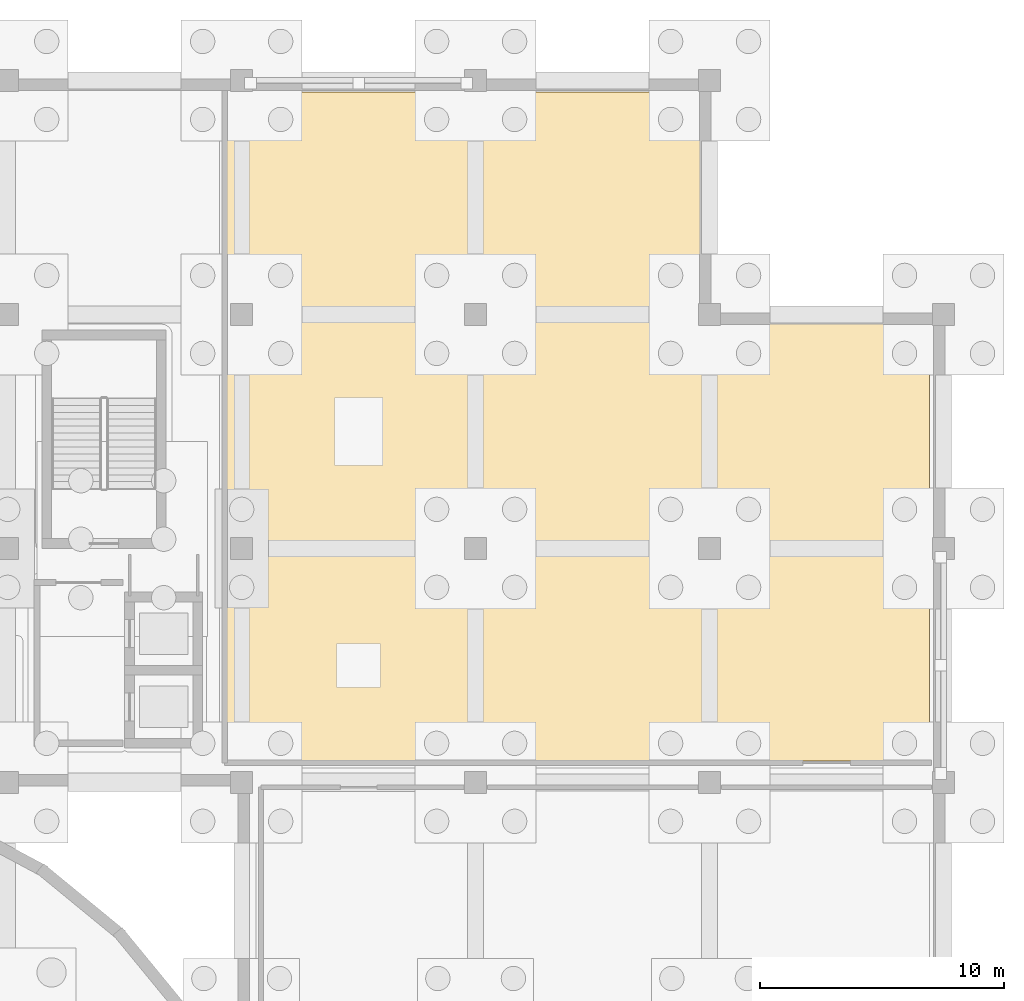
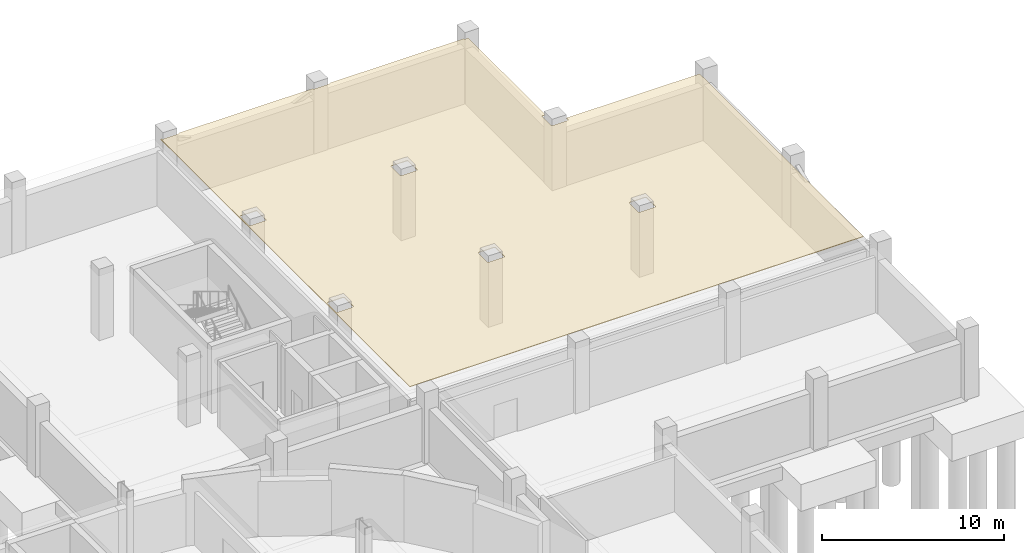
# One storey, part 66 of 67: 1 covering.
"""IFC4 building model written with IfcOpenShell, lengths in metres."""

from ifc_helpers import new_model, si_unit, direction, frame, origin, place, context, subcontext, project, spatial, polyline, outline, extrude, material, layer, layer_set, type_object, element, save


model = new_model("IFC4")

# Units and contexts
model_context = context("Model", 3, precision=1e-05, world=origin(), true_north=direction((0.0, 1.0)))
body_context = subcontext(model_context, "Body", "Model", "MODEL_VIEW")
ifc_project = project(units=[si_unit("LENGTHUNIT", "METRE"), si_unit("AREAUNIT", "SQUARE_METRE"), si_unit("VOLUMEUNIT", "CUBIC_METRE"), si_unit("PLANEANGLEUNIT", "RADIAN"), si_unit("MASSUNIT", "GRAM", prefix="KILO")], contexts=[model_context])

# Site, building, storey
site_placement = place(None, origin())
site = spatial("IfcSite", under=ifc_project, at=site_placement, CompositionType="ELEMENT")
building_placement = place(site_placement, origin())
building = spatial("IfcBuilding", under=site, at=building_placement, Name="Caelomonte Colonnade Arena", CompositionType="ELEMENT")
storey_placement = place(building_placement, frame((0.0, 0.0, -4.800048828125)))
storey = spatial("IfcBuildingStorey", under=building, at=storey_placement, Name="B1", CompositionType="ELEMENT", Elevation=-4.800048828125)

# Covering
ifc_material = material(Name="Perforated acoustic mineral-fibre ceiling")
ifc_layer = layer(ifc_material, 0.0400390625)
ifc_layer_set = layer_set([ifc_layer], Name="Perforated acoustic mineral-fibre ceiling")
covering_type = type_object("IfcCoveringType", Name="INT-CV-CEIL1", PredefinedType="CEILING", material=ifc_layer_set)
covering_placement = place(storey_placement, frame((0.0, 0.0, 4.420166015625)))
element("IfcCovering", 1, at=covering_placement, inside=storey, type_object=covering_type, Name="B1 Central Chiller Plant acoustic ceiling", PredefinedType="CEILING", context=body_context, shape_type="SweptSolid", body=[
    extrude(outline(polyline([(162.656494140625, 143.519287109375), (162.656494140625, 143.52001953125), (162.580078125, 143.52001953125), (162.580078125, 116.080078125), (191.419921875, 116.080078125), (191.419921875, 134.10009765625), (182.945068359375, 134.10009765625), (182.945068359375, 133.93505859375), (182.944580078125, 133.92724609375), (182.943603515625, 133.91943359375), (182.941650390625, 133.911865234375), (182.93896484375, 133.904296875), (182.935546875, 133.897216796875), (182.931396484375, 133.890625), (182.9267578125, 133.88427734375), (182.921630859375, 133.87841796875), (182.915771484375, 133.873291015625), (182.909423828125, 133.868408203125), (182.902587890625, 133.864501953125), (182.8955078125, 133.861083984375), (182.88818359375, 133.8583984375), (182.880615234375, 133.8564453125), (182.872802734375, 133.85546875), (182.864990234375, 133.85498046875), (181.93505859375, 133.85498046875), (181.92724609375, 133.85546875), (181.91943359375, 133.8564453125), (181.911865234375, 133.8583984375), (181.904296875, 133.861083984375), (181.897216796875, 133.864501953125), (181.890625, 133.868408203125), (181.88427734375, 133.873291015625), (181.87841796875, 133.87841796875), (181.873291015625, 133.88427734375), (181.868408203125, 133.890625), (181.864501953125, 133.897216796875), (181.861083984375, 133.904296875), (181.8583984375, 133.911865234375), (181.8564453125, 133.91943359375), (181.85546875, 133.92724609375), (181.85498046875, 133.93505859375), (181.85498046875, 134.864990234375), (181.85546875, 134.872802734375), (181.8564453125, 134.880615234375), (181.8583984375, 134.88818359375), (181.861083984375, 134.8955078125), (181.864501953125, 134.902587890625), (181.868408203125, 134.909423828125), (181.873291015625, 134.915771484375), (181.87841796875, 134.921630859375), (181.88427734375, 134.9267578125), (181.890625, 134.931396484375), (181.897216796875, 134.935546875), (181.904296875, 134.93896484375), (181.911865234375, 134.941650390625), (181.91943359375, 134.943603515625), (181.92724609375, 134.944580078125), (181.93505859375, 134.945068359375), (182.10009765625, 134.945068359375), (182.10009765625, 143.455078125), (181.93505859375, 143.455078125), (181.92724609375, 143.455322265625), (181.91943359375, 143.45654296875), (181.911865234375, 143.45849609375), (181.904296875, 143.461181640625), (181.897216796875, 143.46435546875), (181.890625, 143.468505859375), (181.88427734375, 143.47314453125), (181.87841796875, 143.478515625), (181.873291015625, 143.484130859375), (181.868408203125, 143.490478515625), (181.864501953125, 143.497314453125), (181.861083984375, 143.50439453125), (181.8583984375, 143.51171875), (181.8564453125, 143.519287109375), (181.8564453125, 143.52001953125), (173.343505859375, 143.52001953125), (173.343505859375, 143.519287109375), (173.341552734375, 143.51171875), (173.3388671875, 143.50439453125), (173.335693359375, 143.497314453125), (173.33154296875, 143.490478515625), (173.326904296875, 143.484130859375), (173.321533203125, 143.478515625), (173.31591796875, 143.47314453125), (173.309326171875, 143.468505859375), (173.302734375, 143.46435546875), (173.295654296875, 143.461181640625), (173.2880859375, 143.45849609375), (173.280517578125, 143.45654296875), (173.272705078125, 143.455322265625), (173.264892578125, 143.455078125), (172.3349609375, 143.455078125), (172.3271484375, 143.455322265625), (172.3193359375, 143.45654296875), (172.311767578125, 143.45849609375), (172.304443359375, 143.461181640625), (172.29736328125, 143.46435546875), (172.29052734375, 143.468505859375), (172.2841796875, 143.47314453125), (172.2783203125, 143.478515625), (172.273193359375, 143.484130859375), (172.2685546875, 143.490478515625), (172.264404296875, 143.497314453125), (172.260986328125, 143.50439453125), (172.25830078125, 143.51171875), (172.256591796875, 143.519287109375), (172.25634765625, 143.52001953125), (163.74365234375, 143.52001953125), (163.743408203125, 143.519287109375), (163.74169921875, 143.51171875), (163.739013671875, 143.50439453125), (163.735595703125, 143.497314453125), (163.7314453125, 143.490478515625), (163.726806640625, 143.484130859375), (163.7216796875, 143.478515625), (163.7158203125, 143.47314453125), (163.70947265625, 143.468505859375), (163.70263671875, 143.46435546875), (163.695556640625, 143.461181640625), (163.688232421875, 143.45849609375), (163.6806640625, 143.45654296875), (163.6728515625, 143.455322265625), (163.6650390625, 143.455078125), (162.735107421875, 143.455078125), (162.727294921875, 143.455322265625), (162.719482421875, 143.45654296875), (162.7119140625, 143.45849609375), (162.704345703125, 143.461181640625), (162.697265625, 143.46435546875), (162.690673828125, 143.468505859375), (162.68408203125, 143.47314453125), (162.678466796875, 143.478515625), (162.673095703125, 143.484130859375), (162.66845703125, 143.490478515625), (162.664306640625, 143.497314453125), (162.6611328125, 143.50439453125), (162.658447265625, 143.51171875), (162.656494140625, 143.519287109375)]), holes=[polyline([(181.85546875, 124.3271484375), (181.85498046875, 124.3349609375), (181.85498046875, 125.264892578125), (181.85546875, 125.272705078125), (181.8564453125, 125.280517578125), (181.8583984375, 125.2880859375), (181.861083984375, 125.295654296875), (181.864501953125, 125.302734375), (181.868408203125, 125.309326171875), (181.873291015625, 125.31591796875), (181.87841796875, 125.321533203125), (181.88427734375, 125.326904296875), (181.890625, 125.33154296875), (181.897216796875, 125.335693359375), (181.904296875, 125.3388671875), (181.911865234375, 125.341552734375), (181.91943359375, 125.343505859375), (181.92724609375, 125.344482421875), (181.93505859375, 125.344970703125), (182.864990234375, 125.344970703125), (182.872802734375, 125.344482421875), (182.880615234375, 125.343505859375), (182.88818359375, 125.341552734375), (182.8955078125, 125.3388671875), (182.902587890625, 125.335693359375), (182.909423828125, 125.33154296875), (182.915771484375, 125.326904296875), (182.921630859375, 125.321533203125), (182.9267578125, 125.31591796875), (182.931396484375, 125.309326171875), (182.935546875, 125.302734375), (182.93896484375, 125.295654296875), (182.941650390625, 125.2880859375), (182.943603515625, 125.280517578125), (182.944580078125, 125.272705078125), (182.945068359375, 125.264892578125), (182.945068359375, 124.3349609375), (182.944580078125, 124.3271484375), (182.943603515625, 124.3193359375), (182.941650390625, 124.311767578125), (182.93896484375, 124.304443359375), (182.935546875, 124.29736328125), (182.931396484375, 124.29052734375), (182.9267578125, 124.2841796875), (182.921630859375, 124.2783203125), (182.915771484375, 124.273193359375), (182.909423828125, 124.2685546875), (182.902587890625, 124.264404296875), (182.8955078125, 124.260986328125), (182.88818359375, 124.25830078125), (182.880615234375, 124.256591796875), (182.872802734375, 124.25537109375), (182.864990234375, 124.2548828125), (181.93505859375, 124.2548828125), (181.92724609375, 124.25537109375), (181.91943359375, 124.256591796875), (181.911865234375, 124.25830078125), (181.904296875, 124.260986328125), (181.897216796875, 124.264404296875), (181.890625, 124.2685546875), (181.88427734375, 124.273193359375), (181.87841796875, 124.2783203125), (181.873291015625, 124.2841796875), (181.868408203125, 124.29052734375), (181.864501953125, 124.29736328125), (181.861083984375, 124.304443359375), (181.8583984375, 124.311767578125), (181.8564453125, 124.3193359375), (181.85546875, 124.3271484375)]), polyline([(172.25537109375, 124.3271484375), (172.2548828125, 124.3349609375), (172.2548828125, 125.264892578125), (172.25537109375, 125.272705078125), (172.256591796875, 125.280517578125), (172.25830078125, 125.2880859375), (172.260986328125, 125.295654296875), (172.264404296875, 125.302734375), (172.2685546875, 125.309326171875), (172.273193359375, 125.31591796875), (172.2783203125, 125.321533203125), (172.2841796875, 125.326904296875), (172.29052734375, 125.33154296875), (172.29736328125, 125.335693359375), (172.304443359375, 125.3388671875), (172.311767578125, 125.341552734375), (172.3193359375, 125.343505859375), (172.3271484375, 125.344482421875), (172.3349609375, 125.344970703125), (173.264892578125, 125.344970703125), (173.272705078125, 125.344482421875), (173.280517578125, 125.343505859375), (173.2880859375, 125.341552734375), (173.295654296875, 125.3388671875), (173.302734375, 125.335693359375), (173.309326171875, 125.33154296875), (173.31591796875, 125.326904296875), (173.321533203125, 125.321533203125), (173.326904296875, 125.31591796875), (173.33154296875, 125.309326171875), (173.335693359375, 125.302734375), (173.3388671875, 125.295654296875), (173.341552734375, 125.2880859375), (173.343505859375, 125.280517578125), (173.344482421875, 125.272705078125), (173.344970703125, 125.264892578125), (173.344970703125, 124.3349609375), (173.344482421875, 124.3271484375), (173.343505859375, 124.3193359375), (173.341552734375, 124.311767578125), (173.3388671875, 124.304443359375), (173.335693359375, 124.29736328125), (173.33154296875, 124.29052734375), (173.326904296875, 124.2841796875), (173.321533203125, 124.2783203125), (173.31591796875, 124.273193359375), (173.309326171875, 124.2685546875), (173.302734375, 124.264404296875), (173.295654296875, 124.260986328125), (173.2880859375, 124.25830078125), (173.280517578125, 124.256591796875), (173.272705078125, 124.25537109375), (173.264892578125, 124.2548828125), (172.3349609375, 124.2548828125), (172.3271484375, 124.25537109375), (172.3193359375, 124.256591796875), (172.311767578125, 124.25830078125), (172.304443359375, 124.260986328125), (172.29736328125, 124.264404296875), (172.29052734375, 124.2685546875), (172.2841796875, 124.273193359375), (172.2783203125, 124.2783203125), (172.273193359375, 124.2841796875), (172.2685546875, 124.29052734375), (172.264404296875, 124.29736328125), (172.260986328125, 124.304443359375), (172.25830078125, 124.311767578125), (172.256591796875, 124.3193359375), (172.25537109375, 124.3271484375)]), polyline([(172.3271484375, 134.944580078125), (172.3349609375, 134.945068359375), (173.264892578125, 134.945068359375), (173.272705078125, 134.944580078125), (173.280517578125, 134.943603515625), (173.2880859375, 134.941650390625), (173.295654296875, 134.93896484375), (173.302734375, 134.935546875), (173.309326171875, 134.931396484375), (173.31591796875, 134.9267578125), (173.321533203125, 134.921630859375), (173.326904296875, 134.915771484375), (173.33154296875, 134.909423828125), (173.335693359375, 134.902587890625), (173.3388671875, 134.8955078125), (173.341552734375, 134.88818359375), (173.343505859375, 134.880615234375), (173.344482421875, 134.872802734375), (173.344970703125, 134.864990234375), (173.344970703125, 133.93505859375), (173.344482421875, 133.92724609375), (173.343505859375, 133.91943359375), (173.341552734375, 133.911865234375), (173.3388671875, 133.904296875), (173.335693359375, 133.897216796875), (173.33154296875, 133.890625), (173.326904296875, 133.88427734375), (173.321533203125, 133.87841796875), (173.31591796875, 133.873291015625), (173.309326171875, 133.868408203125), (173.302734375, 133.864501953125), (173.295654296875, 133.861083984375), (173.2880859375, 133.8583984375), (173.280517578125, 133.8564453125), (173.272705078125, 133.85546875), (173.264892578125, 133.85498046875), (172.3349609375, 133.85498046875), (172.3271484375, 133.85546875), (172.3193359375, 133.8564453125), (172.311767578125, 133.8583984375), (172.304443359375, 133.861083984375), (172.29736328125, 133.864501953125), (172.29052734375, 133.868408203125), (172.2841796875, 133.873291015625), (172.2783203125, 133.87841796875), (172.273193359375, 133.88427734375), (172.2685546875, 133.890625), (172.264404296875, 133.897216796875), (172.260986328125, 133.904296875), (172.25830078125, 133.911865234375), (172.256591796875, 133.91943359375), (172.25537109375, 133.92724609375), (172.2548828125, 133.93505859375), (172.2548828125, 134.864990234375), (172.25537109375, 134.872802734375), (172.256591796875, 134.880615234375), (172.25830078125, 134.88818359375), (172.260986328125, 134.8955078125), (172.264404296875, 134.902587890625), (172.2685546875, 134.909423828125), (172.273193359375, 134.915771484375), (172.2783203125, 134.921630859375), (172.2841796875, 134.9267578125), (172.29052734375, 134.931396484375), (172.29736328125, 134.935546875), (172.304443359375, 134.93896484375), (172.311767578125, 134.941650390625), (172.3193359375, 134.943603515625), (172.3271484375, 134.944580078125)]), polyline([(162.655517578125, 124.3271484375), (162.655029296875, 124.3349609375), (162.655029296875, 125.264892578125), (162.655517578125, 125.272705078125), (162.656494140625, 125.280517578125), (162.658447265625, 125.2880859375), (162.6611328125, 125.295654296875), (162.664306640625, 125.302734375), (162.66845703125, 125.309326171875), (162.673095703125, 125.31591796875), (162.678466796875, 125.321533203125), (162.68408203125, 125.326904296875), (162.690673828125, 125.33154296875), (162.697265625, 125.335693359375), (162.704345703125, 125.3388671875), (162.7119140625, 125.341552734375), (162.719482421875, 125.343505859375), (162.727294921875, 125.344482421875), (162.735107421875, 125.344970703125), (163.6650390625, 125.344970703125), (163.6728515625, 125.344482421875), (163.6806640625, 125.343505859375), (163.688232421875, 125.341552734375), (163.695556640625, 125.3388671875), (163.70263671875, 125.335693359375), (163.70947265625, 125.33154296875), (163.7158203125, 125.326904296875), (163.7216796875, 125.321533203125), (163.726806640625, 125.31591796875), (163.7314453125, 125.309326171875), (163.735595703125, 125.302734375), (163.739013671875, 125.295654296875), (163.74169921875, 125.2880859375), (163.743408203125, 125.280517578125), (163.74462890625, 125.272705078125), (163.7451171875, 125.264892578125), (163.7451171875, 124.3349609375), (163.74462890625, 124.3271484375), (163.743408203125, 124.3193359375), (163.74169921875, 124.311767578125), (163.739013671875, 124.304443359375), (163.735595703125, 124.29736328125), (163.7314453125, 124.29052734375), (163.726806640625, 124.2841796875), (163.7216796875, 124.2783203125), (163.7158203125, 124.273193359375), (163.70947265625, 124.2685546875), (163.70263671875, 124.264404296875), (163.695556640625, 124.260986328125), (163.688232421875, 124.25830078125), (163.6806640625, 124.256591796875), (163.6728515625, 124.25537109375), (163.6650390625, 124.2548828125), (162.735107421875, 124.2548828125), (162.727294921875, 124.25537109375), (162.719482421875, 124.256591796875), (162.7119140625, 124.25830078125), (162.704345703125, 124.260986328125), (162.697265625, 124.264404296875), (162.690673828125, 124.2685546875), (162.68408203125, 124.273193359375), (162.678466796875, 124.2783203125), (162.673095703125, 124.2841796875), (162.66845703125, 124.29052734375), (162.664306640625, 124.29736328125), (162.6611328125, 124.304443359375), (162.658447265625, 124.311767578125), (162.656494140625, 124.3193359375), (162.655517578125, 124.3271484375)]), polyline([(163.6728515625, 133.85546875), (163.6650390625, 133.85498046875), (162.735107421875, 133.85498046875), (162.727294921875, 133.85546875), (162.719482421875, 133.8564453125), (162.7119140625, 133.8583984375), (162.704345703125, 133.861083984375), (162.697265625, 133.864501953125), (162.690673828125, 133.868408203125), (162.68408203125, 133.873291015625), (162.678466796875, 133.87841796875), (162.673095703125, 133.88427734375), (162.66845703125, 133.890625), (162.664306640625, 133.897216796875), (162.6611328125, 133.904296875), (162.658447265625, 133.911865234375), (162.656494140625, 133.91943359375), (162.655517578125, 133.92724609375), (162.655029296875, 133.93505859375), (162.655029296875, 134.864990234375), (162.655517578125, 134.872802734375), (162.656494140625, 134.880615234375), (162.658447265625, 134.88818359375), (162.6611328125, 134.8955078125), (162.664306640625, 134.902587890625), (162.66845703125, 134.909423828125), (162.673095703125, 134.915771484375), (162.678466796875, 134.921630859375), (162.68408203125, 134.9267578125), (162.690673828125, 134.931396484375), (162.697265625, 134.935546875), (162.704345703125, 134.93896484375), (162.7119140625, 134.941650390625), (162.719482421875, 134.943603515625), (162.727294921875, 134.944580078125), (162.735107421875, 134.945068359375), (163.6650390625, 134.945068359375), (163.6728515625, 134.944580078125), (163.6806640625, 134.943603515625), (163.688232421875, 134.941650390625), (163.695556640625, 134.93896484375), (163.70263671875, 134.935546875), (163.70947265625, 134.931396484375), (163.7158203125, 134.9267578125), (163.7216796875, 134.921630859375), (163.726806640625, 134.915771484375), (163.7314453125, 134.909423828125), (163.735595703125, 134.902587890625), (163.739013671875, 134.8955078125), (163.74169921875, 134.88818359375), (163.743408203125, 134.880615234375), (163.74462890625, 134.872802734375), (163.7451171875, 134.864990234375), (163.7451171875, 133.93505859375), (163.74462890625, 133.92724609375), (163.743408203125, 133.91943359375), (163.74169921875, 133.911865234375), (163.739013671875, 133.904296875), (163.735595703125, 133.897216796875), (163.7314453125, 133.890625), (163.726806640625, 133.88427734375), (163.7216796875, 133.87841796875), (163.7158203125, 133.873291015625), (163.70947265625, 133.868408203125), (163.70263671875, 133.864501953125), (163.695556640625, 133.861083984375), (163.688232421875, 133.8583984375), (163.6806640625, 133.8564453125), (163.6728515625, 133.85546875)])]), origin(), (0.0, 0.0, 1.0), 0.039794921875),
])

save(model, "model.ifc")
